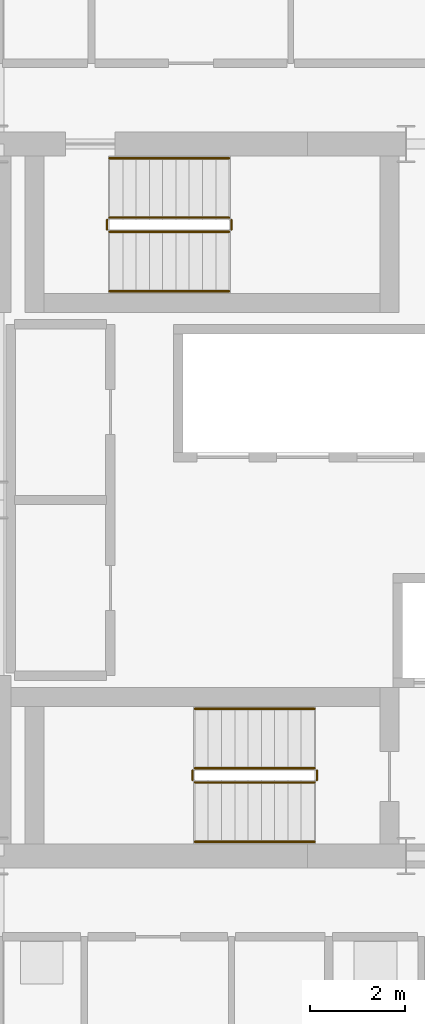
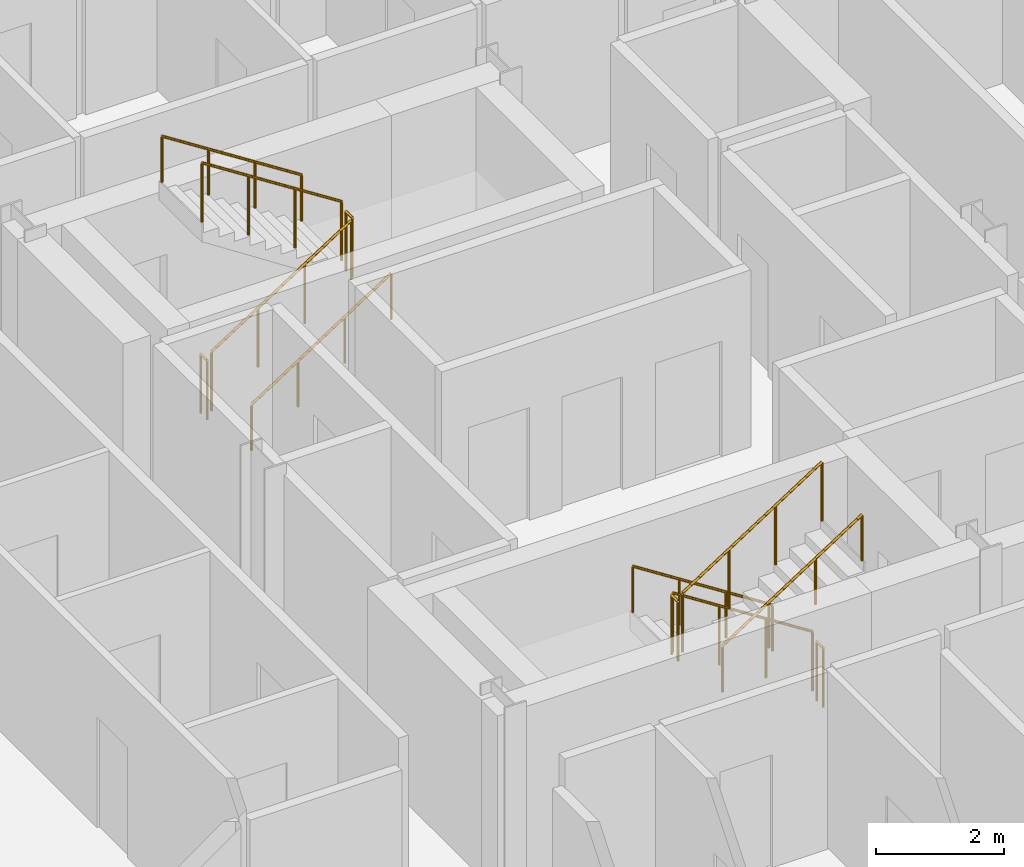
# One storey, part 21 of 22: 12 railings.
"""IFC4 building model written with IfcOpenShell, lengths in metres."""

from ifc_helpers import new_model, si_unit, direction, frame, origin, origin_2d, place, context, subcontext, project, spatial, circle, extrude, material, type_object, element, save


model = new_model("IFC4")

# Units and contexts
model_context = context("Model", 3, precision=1e-05, world=origin(), true_north=direction((0.0, 1.0)))
body_context = subcontext(model_context, "Body", "Model", "MODEL_VIEW")
ifc_project = project(units=[si_unit("LENGTHUNIT", "METRE"), si_unit("AREAUNIT", "SQUARE_METRE"), si_unit("VOLUMEUNIT", "CUBIC_METRE"), si_unit("PLANEANGLEUNIT", "RADIAN"), si_unit("MASSUNIT", "GRAM", prefix="KILO")], contexts=[model_context])

# Site, building, storey
site_placement = place(None, origin())
site = spatial("IfcSite", under=ifc_project, at=site_placement, CompositionType="ELEMENT")
building_placement = place(site_placement, origin())
building = spatial("IfcBuilding", under=site, at=building_placement, Name="Barlavira Tower and Art Museum", CompositionType="ELEMENT")
storey_placement = place(building_placement, frame((0.0, 0.0, 243.89990234375)))
storey = spatial("IfcBuildingStorey", under=building, at=storey_placement, Name="L63", CompositionType="ELEMENT", Elevation=243.89990234375)

# Railings
ifc_material = material(Name="Brushed stainless steel", Category="steel")
railing_type_1 = type_object("IfcRailingType", Name="Interior Void and Landing Guard Railing 1150", PredefinedType="GUARDRAIL", material=ifc_material)
railing_1_placement = place(storey_placement, frame((0.14990234375, -5.64990234375, 0.18017578125)))
element("IfcRailing", 1, at=railing_1_placement, inside=storey, type_object=railing_type_1, Name="L63 ST-T1 stair guard 1", PredefinedType="GUARDRAIL", context=body_context, shape_type="SweptSolid", body=[
    extrude(circle(Radius=0.02392578125, at=origin_2d()), frame((0.0, 0.0, 1.1259765625), z_axis=(-0.841199657755, 0.0, 0.540724639528), x_axis=(0.0, -1.0, 0.0)), (0.0, 0.0, 1.0), 2.995849609375),
    extrude(circle(Radius=0.02099609375, at=origin_2d()), origin(), (0.0, 0.0, 1.0), 1.101806640625),
    extrude(circle(Radius=0.02099609375, at=origin_2d()), frame((-0.840087890625, 0.0, 0.5400390625)), (0.0, 0.0, 1.0), 1.101806640625),
    extrude(circle(Radius=0.02099609375, at=origin_2d()), frame((-1.679931640625, 0.0, 1.079833984375)), (0.0, 0.0, 1.0), 1.101806640625),
    extrude(circle(Radius=0.02099609375, at=origin_2d()), frame((-2.52001953125, 0.0, 1.619873046875)), (0.0, 0.0, 1.0), 1.101806640625),
])
railing_2_placement = place(storey_placement, frame((-2.419921875, -5.699951171875, 1.800048828125)))
element("IfcRailing", 2, at=railing_2_placement, inside=storey, type_object=railing_type_1, Name="L63 ST-T1 stair guard 2", PredefinedType="GUARDRAIL", context=body_context, shape_type="SweptSolid", body=[
    extrude(circle(Radius=0.02392578125, at=origin_2d()), frame((0.0, 0.0, 1.1259765625), z_axis=(0.0, -1.0, 0.0), x_axis=(1.0, 0.0, 0.0)), (0.0, 0.0, 1.0), 0.199951171875),
    extrude(circle(Radius=0.02099609375, at=origin_2d()), origin(), (0.0, 0.0, 1.0), 1.101806640625),
    extrude(circle(Radius=0.02099609375, at=origin_2d()), frame((0.0, -0.199951171875, 0.0)), (0.0, 0.0, 1.0), 1.101806640625),
])
railing_3_placement = place(storey_placement, frame((-2.3701171875, -5.949951171875, 1.97998046875)))
element("IfcRailing", 3, at=railing_3_placement, inside=storey, type_object=railing_type_1, Name="L63 ST-T1 stair guard 3", PredefinedType="GUARDRAIL", context=body_context, shape_type="SweptSolid", body=[
    extrude(circle(Radius=0.02392578125, at=origin_2d()), frame((0.0, 0.0, 1.1259765625), z_axis=(0.841162588446, 0.0, 0.540782303519), x_axis=(0.0, 1.0, 0.0)), (0.0, 0.0, 1.0), 2.995849609375),
    extrude(circle(Radius=0.02099609375, at=origin_2d()), origin(), (0.0, 0.0, 1.0), 1.101806640625),
    extrude(circle(Radius=0.02099609375, at=origin_2d()), frame((0.840087890625, 0.0, 0.5400390625)), (0.0, 0.0, 1.0), 1.101806640625),
    extrude(circle(Radius=0.02099609375, at=origin_2d()), frame((1.679931640625, 0.0, 1.080078125)), (0.0, 0.0, 1.0), 1.101806640625),
    extrude(circle(Radius=0.02099609375, at=origin_2d()), frame((2.52001953125, 0.0, 1.6201171875)), (0.0, 0.0, 1.0), 1.101806640625),
])
railing_4_placement = place(storey_placement, frame((0.199951171875, -5.699951171875, 0.0)))
element("IfcRailing", 4, at=railing_4_placement, inside=storey, type_object=railing_type_1, Name="L63 ST-T1 stair guard 4", PredefinedType="GUARDRAIL", context=body_context, shape_type="SweptSolid", body=[
    extrude(circle(Radius=0.02392578125, at=origin_2d()), frame((0.0, 0.0, 1.1259765625), z_axis=(0.0, -1.0, 0.0), x_axis=(1.0, 0.0, 0.0)), (0.0, 0.0, 1.0), 0.199951171875),
    extrude(circle(Radius=0.02099609375, at=origin_2d()), origin(), (0.0, 0.0, 1.0), 1.101806640625),
    extrude(circle(Radius=0.02099609375, at=origin_2d()), frame((0.0, -0.199951171875, 0.0)), (0.0, 0.0, 1.0), 1.101806640625),
])
railing_5_placement = place(storey_placement, frame((-4.169921875, 5.64990234375, 0.18017578125)))
element("IfcRailing", 5, at=railing_5_placement, inside=storey, type_object=railing_type_1, Name="L63 ST-T2 stair guard 1", PredefinedType="GUARDRAIL", context=body_context, shape_type="SweptSolid", body=[
    extrude(circle(Radius=0.02392578125, at=origin_2d()), frame((0.0, 0.0, 1.1259765625), z_axis=(0.841199657755, 0.0, 0.540724639528), x_axis=(0.0, 1.0, 0.0)), (0.0, 0.0, 1.0), 2.995849609375),
    extrude(circle(Radius=0.02099609375, at=origin_2d()), origin(), (0.0, 0.0, 1.0), 1.101806640625),
    extrude(circle(Radius=0.02099609375, at=origin_2d()), frame((0.840087890625, 0.0, 0.5400390625)), (0.0, 0.0, 1.0), 1.101806640625),
    extrude(circle(Radius=0.02099609375, at=origin_2d()), frame((1.679931640625, 0.0, 1.079833984375)), (0.0, 0.0, 1.0), 1.101806640625),
    extrude(circle(Radius=0.02099609375, at=origin_2d()), frame((2.52001953125, 0.0, 1.619873046875)), (0.0, 0.0, 1.0), 1.101806640625),
])
railing_6_placement = place(storey_placement, frame((-1.60009765625, 5.699951171875, 1.800048828125)))
element("IfcRailing", 6, at=railing_6_placement, inside=storey, type_object=railing_type_1, Name="L63 ST-T2 stair guard 2", PredefinedType="GUARDRAIL", context=body_context, shape_type="SweptSolid", body=[
    extrude(circle(Radius=0.02392578125, at=origin_2d()), frame((0.0, 0.0, 1.1259765625), z_axis=(0.0, 1.0, 0.0), x_axis=(-1.0, 0.0, 0.0)), (0.0, 0.0, 1.0), 0.199951171875),
    extrude(circle(Radius=0.02099609375, at=origin_2d()), origin(), (0.0, 0.0, 1.0), 1.101806640625),
    extrude(circle(Radius=0.02099609375, at=origin_2d()), frame((0.0, 0.199951171875, 0.0)), (0.0, 0.0, 1.0), 1.101806640625),
])
railing_7_placement = place(storey_placement, frame((-1.64990234375, 5.949951171875, 1.97998046875)))
element("IfcRailing", 7, at=railing_7_placement, inside=storey, type_object=railing_type_1, Name="L63 ST-T2 stair guard 3", PredefinedType="GUARDRAIL", context=body_context, shape_type="SweptSolid", body=[
    extrude(circle(Radius=0.02392578125, at=origin_2d()), frame((0.0, 0.0, 1.1259765625), z_axis=(-0.841162588446, 0.0, 0.540782303519), x_axis=(0.0, -1.0, 0.0)), (0.0, 0.0, 1.0), 2.995849609375),
    extrude(circle(Radius=0.02099609375, at=origin_2d()), origin(), (0.0, 0.0, 1.0), 1.101806640625),
    extrude(circle(Radius=0.02099609375, at=origin_2d()), frame((-0.840087890625, 0.0, 0.5400390625)), (0.0, 0.0, 1.0), 1.101806640625),
    extrude(circle(Radius=0.02099609375, at=origin_2d()), frame((-1.679931640625, 0.0, 1.080078125)), (0.0, 0.0, 1.0), 1.101806640625),
    extrude(circle(Radius=0.02099609375, at=origin_2d()), frame((-2.52001953125, 0.0, 1.6201171875)), (0.0, 0.0, 1.0), 1.101806640625),
])
railing_8_placement = place(storey_placement, frame((-4.219970703125, 5.699951171875, 0.0)))
element("IfcRailing", 8, at=railing_8_placement, inside=storey, type_object=railing_type_1, Name="L63 ST-T2 stair guard 4", PredefinedType="GUARDRAIL", context=body_context, shape_type="SweptSolid", body=[
    extrude(circle(Radius=0.02392578125, at=origin_2d()), frame((0.0, 0.0, 1.1259765625), z_axis=(0.0, 1.0, 0.0), x_axis=(-1.0, 0.0, 0.0)), (0.0, 0.0, 1.0), 0.199951171875),
    extrude(circle(Radius=0.02099609375, at=origin_2d()), origin(), (0.0, 0.0, 1.0), 1.101806640625),
    extrude(circle(Radius=0.02099609375, at=origin_2d()), frame((0.0, 0.199951171875, 0.0)), (0.0, 0.0, 1.0), 1.101806640625),
])
railing_type_2 = type_object("IfcRailingType", Name="Stair Pitch Tubular Steel Handrail 920", PredefinedType="HANDRAIL", material=ifc_material)
railing_9_placement = place(storey_placement, frame((0.14990234375, -4.39990234375, 0.18017578125)))
element("IfcRailing", 9, at=railing_9_placement, inside=storey, type_object=railing_type_2, Name="L63 ST-T1 stair handrail 1", PredefinedType="HANDRAIL", context=body_context, shape_type="SweptSolid", body=[
    extrude(circle(Radius=0.02392578125, at=origin_2d()), frame((0.0, 0.0, 0.8759765625), z_axis=(-0.841199657755, 0.0, 0.540724639528), x_axis=(0.0, -1.0, 0.0)), (0.0, 0.0, 1.0), 2.995849609375),
    extrude(circle(Radius=0.02099609375, at=origin_2d()), origin(), (0.0, 0.0, 1.0), 0.851806640625),
    extrude(circle(Radius=0.02099609375, at=origin_2d()), frame((-0.840087890625, 0.0, 0.5400390625)), (0.0, 0.0, 1.0), 0.851806640625),
    extrude(circle(Radius=0.02099609375, at=origin_2d()), frame((-1.679931640625, 0.0, 1.079833984375)), (0.0, 0.0, 1.0), 0.851806640625),
    extrude(circle(Radius=0.02099609375, at=origin_2d()), frame((-2.52001953125, 0.0, 1.619873046875)), (0.0, 0.0, 1.0), 0.851806640625),
])
railing_10_placement = place(storey_placement, frame((-2.3701171875, -7.199951171875, 1.97998046875)))
element("IfcRailing", 10, at=railing_10_placement, inside=storey, type_object=railing_type_2, Name="L63 ST-T1 stair handrail 2", PredefinedType="HANDRAIL", context=body_context, shape_type="SweptSolid", body=[
    extrude(circle(Radius=0.02392578125, at=origin_2d()), frame((0.0, 0.0, 0.8759765625), z_axis=(0.841162588446, 0.0, 0.540782303519), x_axis=(0.0, 1.0, 0.0)), (0.0, 0.0, 1.0), 2.995849609375),
    extrude(circle(Radius=0.02099609375, at=origin_2d()), origin(), (0.0, 0.0, 1.0), 0.851806640625),
    extrude(circle(Radius=0.02099609375, at=origin_2d()), frame((0.840087890625, 0.0, 0.5400390625)), (0.0, 0.0, 1.0), 0.851806640625),
    extrude(circle(Radius=0.02099609375, at=origin_2d()), frame((1.679931640625, 0.0, 1.080078125)), (0.0, 0.0, 1.0), 0.851806640625),
    extrude(circle(Radius=0.02099609375, at=origin_2d()), frame((2.52001953125, 0.0, 1.6201171875)), (0.0, 0.0, 1.0), 0.851806640625),
])
railing_11_placement = place(storey_placement, frame((-4.169921875, 4.39990234375, 0.18017578125)))
element("IfcRailing", 11, at=railing_11_placement, inside=storey, type_object=railing_type_2, Name="L63 ST-T2 stair handrail 1", PredefinedType="HANDRAIL", context=body_context, shape_type="SweptSolid", body=[
    extrude(circle(Radius=0.02392578125, at=origin_2d()), frame((0.0, 0.0, 0.8759765625), z_axis=(0.841199657755, 0.0, 0.540724639528), x_axis=(0.0, 1.0, 0.0)), (0.0, 0.0, 1.0), 2.995849609375),
    extrude(circle(Radius=0.02099609375, at=origin_2d()), origin(), (0.0, 0.0, 1.0), 0.851806640625),
    extrude(circle(Radius=0.02099609375, at=origin_2d()), frame((0.840087890625, 0.0, 0.5400390625)), (0.0, 0.0, 1.0), 0.851806640625),
    extrude(circle(Radius=0.02099609375, at=origin_2d()), frame((1.679931640625, 0.0, 1.079833984375)), (0.0, 0.0, 1.0), 0.851806640625),
    extrude(circle(Radius=0.02099609375, at=origin_2d()), frame((2.52001953125, 0.0, 1.619873046875)), (0.0, 0.0, 1.0), 0.851806640625),
])
railing_12_placement = place(storey_placement, frame((-1.64990234375, 7.199951171875, 1.97998046875)))
element("IfcRailing", 12, at=railing_12_placement, inside=storey, type_object=railing_type_2, Name="L63 ST-T2 stair handrail 2", PredefinedType="HANDRAIL", context=body_context, shape_type="SweptSolid", body=[
    extrude(circle(Radius=0.02392578125, at=origin_2d()), frame((0.0, 0.0, 0.8759765625), z_axis=(-0.841162588446, 0.0, 0.540782303519), x_axis=(0.0, -1.0, 0.0)), (0.0, 0.0, 1.0), 2.995849609375),
    extrude(circle(Radius=0.02099609375, at=origin_2d()), origin(), (0.0, 0.0, 1.0), 0.851806640625),
    extrude(circle(Radius=0.02099609375, at=origin_2d()), frame((-0.840087890625, 0.0, 0.5400390625)), (0.0, 0.0, 1.0), 0.851806640625),
    extrude(circle(Radius=0.02099609375, at=origin_2d()), frame((-1.679931640625, 0.0, 1.080078125)), (0.0, 0.0, 1.0), 0.851806640625),
    extrude(circle(Radius=0.02099609375, at=origin_2d()), frame((-2.52001953125, 0.0, 1.6201171875)), (0.0, 0.0, 1.0), 0.851806640625),
])

save(model, "model.ifc")
